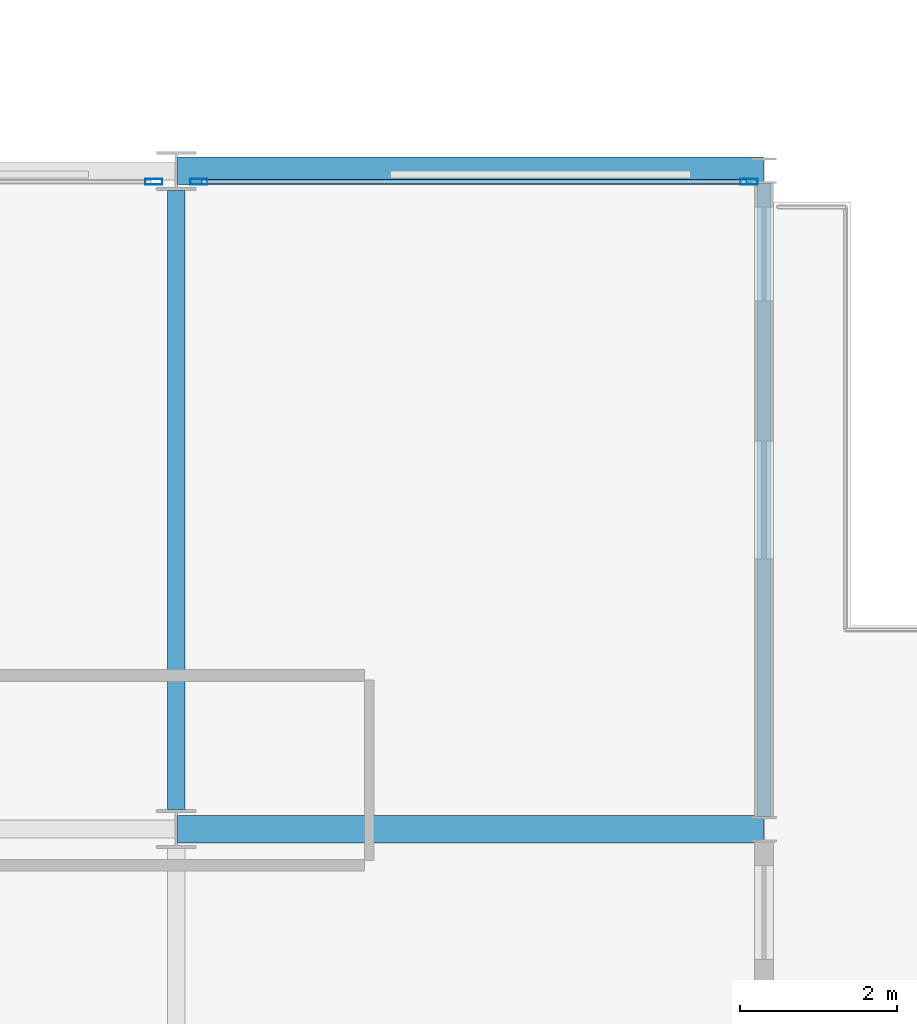
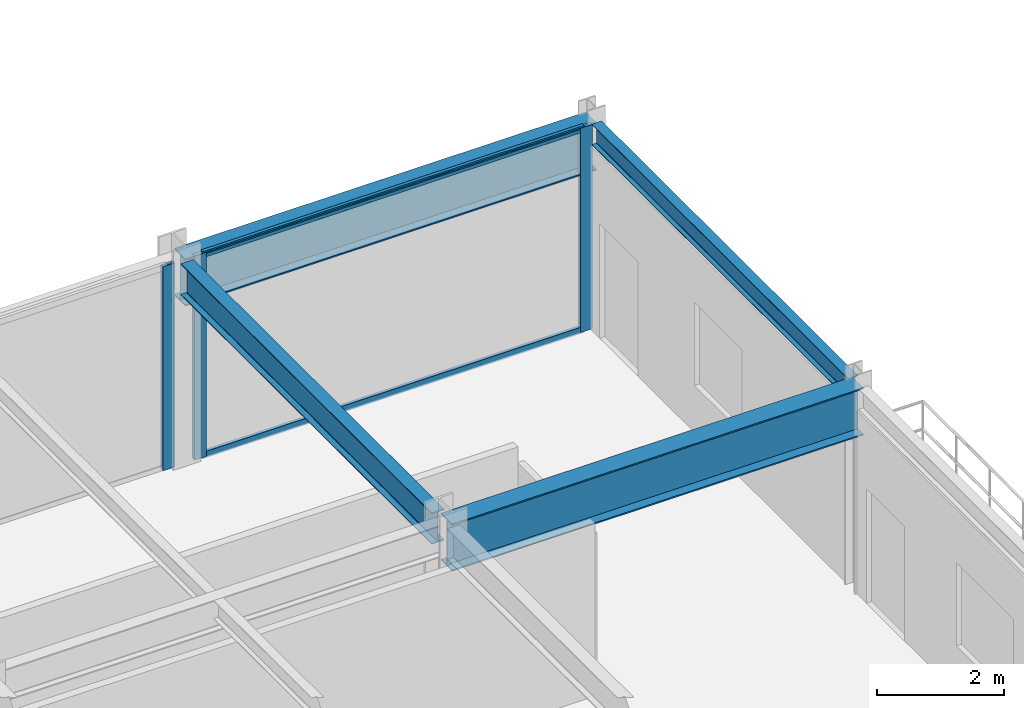
# One storey, part 15 of 26: 5 members, 4 beams, 2 elements without a shape of their own.
"""IFC4 building model written with IfcOpenShell, lengths in metres."""

from ifc_helpers import new_model, si_unit, direction, frame, origin, origin_2d, place, context, subcontext, project, spatial, hollow_rectangle, i_section, extrude, material, layer, layer_set, material_profile, profile_set, type_object, element, aggregate, save


model = new_model("IFC4")

# Units and contexts
model_context = context("Model", 3, precision=1e-05, world=origin(), true_north=direction((0.0, 1.0)))
body_context = subcontext(model_context, "Body", "Model", "MODEL_VIEW")
ifc_project = project(units=[si_unit("LENGTHUNIT", "METRE"), si_unit("AREAUNIT", "SQUARE_METRE"), si_unit("VOLUMEUNIT", "CUBIC_METRE"), si_unit("PLANEANGLEUNIT", "RADIAN"), si_unit("MASSUNIT", "GRAM", prefix="KILO")], contexts=[model_context])

# Site, building, storey
site_placement = place(None, origin())
site = spatial("IfcSite", under=ifc_project, at=site_placement, CompositionType="ELEMENT")
building_placement = place(site_placement, origin())
building = spatial("IfcBuilding", under=site, at=building_placement, Name="Nerrivon Quay Data Exchange", CompositionType="ELEMENT")
storey_placement = place(building_placement, frame((0.0, 0.0, 71.0)))
storey = spatial("IfcBuildingStorey", under=building, at=storey_placement, Name="L16", CompositionType="ELEMENT", Elevation=71.0)

# Beams
ifc_material_1 = material(Name="Steel Grade 350", Category="steel")
ifc_material_profile_1 = material_profile(ifc_material_1, i_section(OverallWidth=0.35009765625, OverallDepth=0.909912109375, WebThickness=0.011962890625, FlangeThickness=0.02490234375, at=origin_2d()), Name="900WB218")
ifc_profile_set_1 = profile_set([ifc_material_profile_1], Name="Steel Grade 350")
beam_type_1 = type_object("IfcBeamType", Name="BM-CANT-900WB", PredefinedType="USERDEFINED", material=ifc_profile_set_1)
for number, where, z_axis, x_axis, name in (
    (1, (50.4140625, 16.800048828125, 3.469970703125), (1.0, 0.0, 0.0), (0.0, 1.0, 0.0), "L16 East Hooked Cantilever Girder Y=16.8"),
    (2, (50.4140625, 25.199951171875, 3.469970703125), (1.0, 0.0, 0.0), (0.0, 1.0, 0.0), "L16 East Hooked Cantilever Girder Y=25.2"),
):
    element("IfcBeam", number, at=place(storey_placement, frame(where, z_axis=z_axis, x_axis=x_axis)), inside=storey, type_object=beam_type_1, Name=name, ObjectType="TRANSFER", PredefinedType="USERDEFINED", context=body_context, shape_type="SweptSolid", body=[
        extrude(i_section(OverallWidth=0.35009765625, OverallDepth=0.909912109375, WebThickness=0.011962890625, FlangeThickness=0.02490234375, at=origin_2d()), origin(), (0.0, 0.0, 1.0), 7.47802734375),
    ])
ifc_material_profile_2 = material_profile(ifc_material_1, i_section(OverallWidth=0.22802734375, OverallDepth=0.60205078125, WebThickness=0.010498046875, FlangeThickness=0.014892578125, FilletRadius=0.013916015625, at=origin_2d()), Name="610UB101")
ifc_profile_set_2 = profile_set([ifc_material_profile_2], Name="Steel Grade 350")
beam_type_2 = type_object("IfcBeamType", Name="BM-G2-610UB101", PredefinedType="BEAM", material=ifc_profile_set_2)
beam_1_placement = place(storey_placement, frame((50.39990234375, 17.050048828125, 3.6240234375), z_axis=(0.0, 1.0, 0.0), x_axis=(-1.0, 0.0, 0.0)))
element("IfcBeam", 3, at=beam_1_placement, inside=storey, type_object=beam_type_2, Name="L16 NS Girder X=50.4 (16.8..25.2)", PredefinedType="BEAM", context=body_context, shape_type="SweptSolid", body=[
    extrude(i_section(OverallWidth=0.22802734375, OverallDepth=0.60205078125, WebThickness=0.010498046875, FlangeThickness=0.014892578125, FilletRadius=0.013916015625, at=origin_2d()), origin(), (0.0, 0.0, 1.0), 7.89990234375),
])
ifc_material_profile_3 = material_profile(ifc_material_1, i_section(OverallWidth=0.177978515625, OverallDepth=0.403076171875, WebThickness=0.007568359375, FlangeThickness=0.010986328125, FilletRadius=0.011474609375, at=origin_2d()), Name="410UB53.7")
ifc_profile_set_3 = profile_set([ifc_material_profile_3], Name="Steel Grade 350")
beam_type_3 = type_object("IfcBeamType", Name="BM-SP2-410UB54", PredefinedType="SPANDREL", material=ifc_profile_set_3)
beam_2_placement = place(storey_placement, frame((57.89990234375, 16.96337890625, 3.723388671875), z_axis=(0.0, 1.0, 0.0), x_axis=(-1.0, 0.0, 0.0)))
element("IfcBeam", 4, at=beam_2_placement, inside=storey, type_object=beam_type_3, Name="L16 East Hooked Edge Spandrel", PredefinedType="SPANDREL", context=body_context, shape_type="SweptSolid", body=[
    extrude(i_section(OverallWidth=0.177978515625, OverallDepth=0.403076171875, WebThickness=0.007568359375, FlangeThickness=0.010986328125, FilletRadius=0.011474609375, at=origin_2d()), origin(), (0.0, 0.0, 1.0), 8.0732421875),
])

# Curtain wall, member
ifc_material_2 = material(Name="Anodised aluminium 6063-T6", Category="aluminium")
ifc_layer_1 = layer(ifc_material_2, 0.219970703125)
ifc_layer_set_1 = layer_set([ifc_layer_1], Name="Anodised aluminium 6063-T6")
curtain_wall_type_1 = type_object("IfcCurtainWallType", Name="CW-SYS-01", PredefinedType="NOTDEFINED", material=ifc_layer_set_1)
curtain_wall_1_placement = place(storey_placement, origin())
curtain_wall_1 = element("IfcCurtainWall", 5, at=curtain_wall_1_placement, inside=storey, type_object=curtain_wall_type_1, Name="L16 Unitised Curtain Wall 34", PredefinedType="NOTDEFINED")
ifc_material_profile_4 = material_profile(ifc_material_2, hollow_rectangle(XDim=0.074951171875, YDim=0.219970703125, WallThickness=0.00390625, at=origin_2d()), Name="ALU-MULL-220x75")
ifc_profile_set_4 = profile_set([ifc_material_profile_4], Name="Anodised aluminium 6063-T6")
member_type_1 = type_object("IfcMemberType", Name="CWM-220x75", PredefinedType="MULLION", material=ifc_profile_set_4)
member_1_placement = place(storey_placement, frame((50.112548828125, 25.06005859375, 0.0), z_axis=(0.0, 0.0, 1.0), x_axis=(0.0, 1.0, 0.0)))
member_1 = element("IfcMember", 6, at=member_1_placement, type_object=member_type_1, Name="CW01 mullion 2", PredefinedType="MULLION", context=body_context, shape_type="SweptSolid", body=[
    extrude(hollow_rectangle(XDim=0.074951171875, YDim=0.219970703125, WallThickness=0.00390625, at=origin_2d()), origin(), (0.0, 0.0, 1.0), 3.925048828125),
])
aggregate(curtain_wall_1, [member_1])

# Curtain wall, members
ifc_layer_2 = layer(ifc_material_2, 0.199951171875)
ifc_layer_set_2 = layer_set([ifc_layer_2], Name="Anodised aluminium 6063-T6")
curtain_wall_type_2 = type_object("IfcCurtainWallType", Name="CW-SYS-04", PredefinedType="NOTDEFINED", material=ifc_layer_set_2)
curtain_wall_2_placement = place(storey_placement, origin())
curtain_wall_2 = element("IfcCurtainWall", 7, at=curtain_wall_2_placement, inside=storey, type_object=curtain_wall_type_2, Name="L16 Unitised Curtain Wall 35", PredefinedType="NOTDEFINED")
member_2_placement = place(storey_placement, frame((50.6875, 25.06005859375, 0.0), z_axis=(0.0, 0.0, 1.0), x_axis=(0.0, 1.0, 0.0)))
member_2 = element("IfcMember", 8, at=member_2_placement, type_object=member_type_1, Name="CW04 mullion 1", PredefinedType="MULLION", context=body_context, shape_type="SweptSolid", body=[
    extrude(hollow_rectangle(XDim=0.074951171875, YDim=0.219970703125, WallThickness=0.00390625, at=origin_2d()), origin(), (0.0, 0.0, 1.0), 3.925048828125),
])
member_3_placement = place(storey_placement, frame((57.70703125, 25.06005859375, 0.0), z_axis=(0.0, 0.0, 1.0), x_axis=(0.0, 1.0, 0.0)))
member_3 = element("IfcMember", 9, at=member_3_placement, type_object=member_type_1, Name="CW04 mullion 2", PredefinedType="MULLION", context=body_context, shape_type="SweptSolid", body=[
    extrude(hollow_rectangle(XDim=0.074951171875, YDim=0.219970703125, WallThickness=0.00390625, at=origin_2d()), origin(), (0.0, 0.0, 1.0), 3.925048828125),
])
ifc_material_profile_5 = material_profile(ifc_material_2, hollow_rectangle(XDim=0.06005859375, YDim=0.1201171875, WallThickness=0.003173828125, at=origin_2d()), Name="ALU-TRAN-120x60")
ifc_profile_set_5 = profile_set([ifc_material_profile_5], Name="Anodised aluminium 6063-T6")
member_type_2 = type_object("IfcMemberType", Name="CWT-120x60", PredefinedType="USERDEFINED", material=ifc_profile_set_5)
member_4_placement = place(storey_placement, frame((50.72509765625, 25.06005859375, 0.032470703125), z_axis=(1.0, 0.0, 0.0), x_axis=(0.0, 1.0, 0.0)))
member_4 = element("IfcMember", 10, at=member_4_placement, type_object=member_type_2, Name="CW04 transom 1.1", ObjectType="TRANSOM", PredefinedType="USERDEFINED", context=body_context, shape_type="SweptSolid", body=[
    extrude(hollow_rectangle(XDim=0.06005859375, YDim=0.1201171875, WallThickness=0.003173828125, at=origin_2d()), origin(), (0.0, 0.0, 1.0), 6.9443359375),
])
member_5_placement = place(storey_placement, frame((50.72509765625, 25.06005859375, 3.892578125), z_axis=(1.0, 0.0, 0.0), x_axis=(0.0, 1.0, 0.0)))
member_5 = element("IfcMember", 11, at=member_5_placement, type_object=member_type_2, Name="CW04 transom 1.2", ObjectType="TRANSOM", PredefinedType="USERDEFINED", context=body_context, shape_type="SweptSolid", body=[
    extrude(hollow_rectangle(XDim=0.06005859375, YDim=0.1201171875, WallThickness=0.003173828125, at=origin_2d()), origin(), (0.0, 0.0, 1.0), 6.9443359375),
])
aggregate(curtain_wall_2, [member_2, member_3, member_4, member_5])

save(model, "model.ifc")
